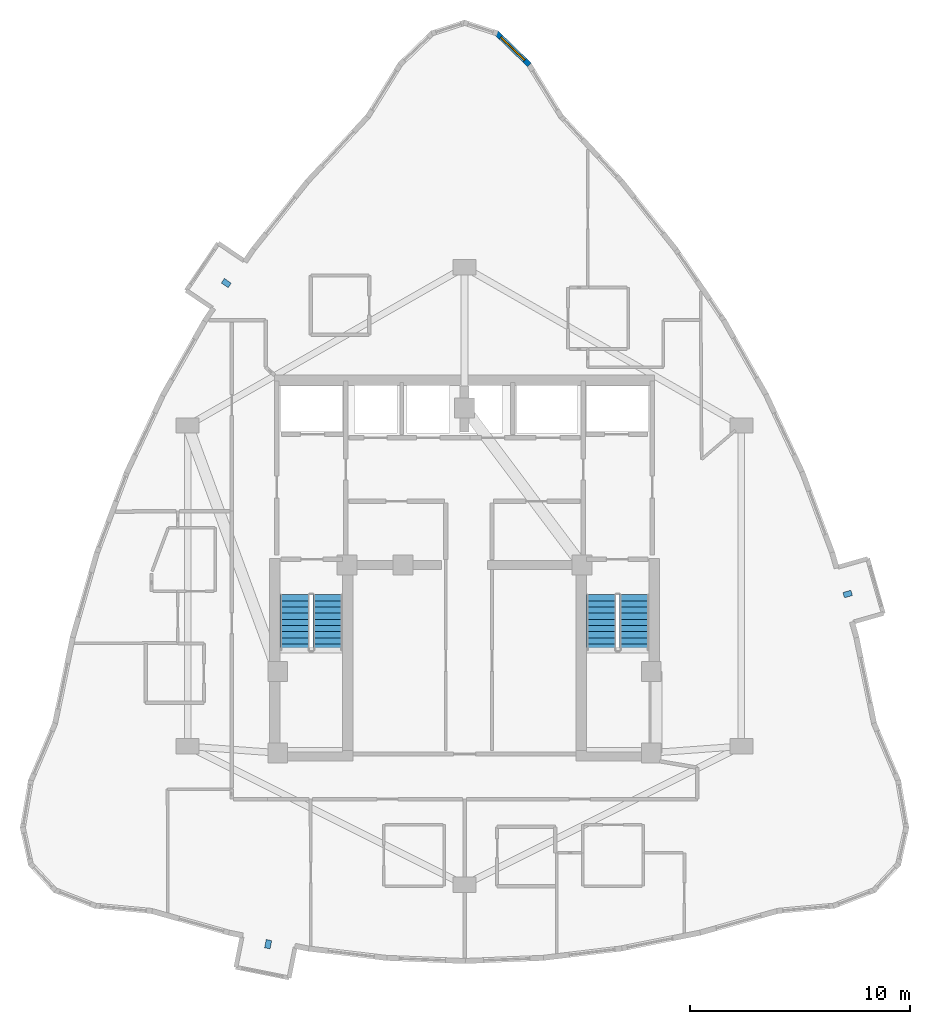
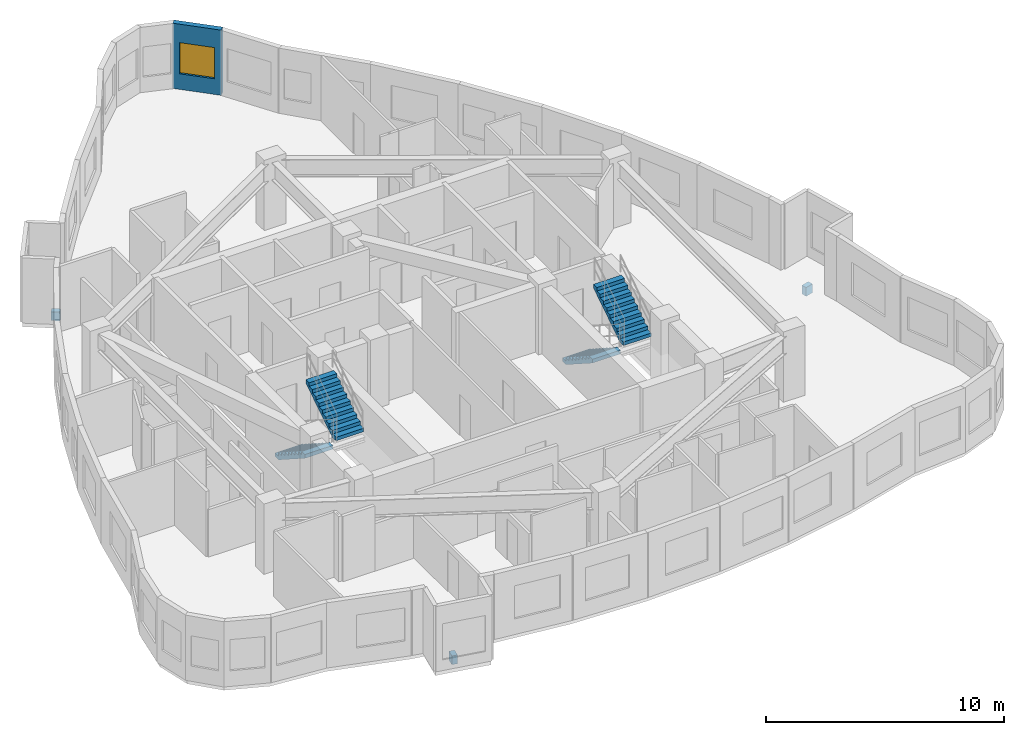
# One storey, part 12 of 13: 4 stair flights, 3 discrete accessories, 1 wall, 1 window, 1 opening, 2 elements without a shape of their own.
"""IFC4 building model written with IfcOpenShell, lengths in metres."""

from ifc_helpers import new_model, si_unit, direction, frame, frame_2d, origin, origin_2d, place, context, subcontext, project, spatial, polyline, rectangle, outline, extrude, material, layer, layer_set, type_object, element, fill, aggregate, save


model = new_model("IFC4")

# Units and contexts
model_context = context("Model", 3, precision=1e-05, world=origin(), true_north=direction((0.0, 1.0)))
body_context = subcontext(model_context, "Body", "Model", "MODEL_VIEW")
ifc_project = project(units=[si_unit("LENGTHUNIT", "METRE"), si_unit("AREAUNIT", "SQUARE_METRE"), si_unit("VOLUMEUNIT", "CUBIC_METRE"), si_unit("PLANEANGLEUNIT", "RADIAN"), si_unit("MASSUNIT", "GRAM", prefix="KILO")], contexts=[model_context])

# Site, building, storey
site_placement = place(None, origin())
site = spatial("IfcSite", under=ifc_project, at=site_placement, CompositionType="ELEMENT")
building_placement = place(site_placement, origin())
building = spatial("IfcBuilding", under=site, at=building_placement, Name="Miruveldt Soraemaru", CompositionType="ELEMENT")
storey_placement = place(building_placement, frame((0.0, 0.0, 201.60009765625)))
storey = spatial("IfcBuildingStorey", under=building, at=storey_placement, Name="L55", CompositionType="ELEMENT", Elevation=201.60009765625)

# Wall, opening, window
ifc_material_1 = material(Name="Precast concrete C45/55 (45 MPa)", Category="concrete")
ifc_layer = layer(ifc_material_1, 0.239990234375, Name="Precast concrete C45/55 (45 MPa)", Category="concrete")
ifc_layer_set = layer_set([ifc_layer], Name="Precast concrete C45/55 (45 MPa)")
wall_type = type_object("IfcWallType", Name="WALL-EXT-PC240", PredefinedType="SOLIDWALL", material=ifc_layer_set)
wall_placement = place(storey_placement, frame((46.953857421875, 66.812744140625, 0.0), z_axis=(0.0, 0.0, 1.0), x_axis=(-0.717784741211, 0.696265082626, 0.0)))
wall = element("IfcWall", 1, at=wall_placement, inside=storey, type_object=wall_type, Name="L55 Precast Concrete Facade Wall 2", PredefinedType="SOLIDWALL", context=body_context, shape_type="SweptSolid", body=[
    extrude(rectangle(XDim=2.110107421875, YDim=0.239990234375, at=frame_2d((1.05517578125, 0.0))), origin(), (0.0, 0.0, 1.0), 3.344970703125),
])
opening_placement = place(wall_placement, frame((0.304931640625, 0.0, 0.800048828125)))
opening = element("IfcOpeningElement", 2, at=opening_placement, cuts=wall, Name="Opening WN-3", PredefinedType="OPENING", context=body_context, shape_type="SweptSolid", body=[
    extrude(rectangle(XDim=1.5, YDim=1.60009765625, at=frame_2d((0.75, 0.800048828125))), frame((0.0, 0.1298828125, 0.0), z_axis=(0.0, -1.0, 0.0), x_axis=(1.0, 0.0, 0.0)), (0.0, 0.0, 1.0), 0.260009765625),
])
ifc_material_2 = material(Name="Triple low-e insulated glazing", Category="glass")
window_type = type_object("IfcWindowType", Name="WIN-PUNCH-1500x1600", PartitioningType="SINGLE_PANEL", PredefinedType="WINDOW", material=ifc_material_2)
window_placement = place(opening_placement, origin())
window = element("IfcWindow", 3, at=window_placement, inside=storey, type_object=window_type, Name="L55 Punched Triple-Glazed Window 02.1", OverallHeight=1.60009765625, OverallWidth=1.5, PartitioningType="SINGLE_PANEL", PredefinedType="WINDOW", context=body_context, shape_type="SweptSolid", body=[
    extrude(rectangle(XDim=1.5, YDim=1.60009765625, at=frame_2d((0.75, 0.800048828125))), frame((0.0, 0.030029296875, 0.0), z_axis=(0.0, -1.0, 0.0), x_axis=(1.0, 0.0, 0.0)), (0.0, 0.0, 1.0), 0.06005859375),
])
fill(opening, window)

# Stair, stair flights
ifc_material_3 = material(Name="Concrete C40/50 (40 MPa)", Category="concrete")
stair_type = type_object("IfcStairType", Name="STAIR-DL-360", PredefinedType="HALF_TURN_STAIR", material=ifc_material_3)
stair_1_placement = place(storey_placement, origin())
stair_1 = element("IfcStair", 4, at=stair_1_placement, inside=storey, type_object=stair_type, Name="L55 Protected Exit Stair ST-1", PredefinedType="HALF_TURN_STAIR")
stair_flight_type = type_object("IfcStairFlightType", Name="SFL-DL-360", PredefinedType="STRAIGHT", material=ifc_material_3)
stair_flight_1_placement = place(storey_placement, frame((36.27490234375, 42.699951171875, 0.0), z_axis=(0.0, 0.0, 1.0), x_axis=(0.0, -1.0, 0.0)))
stair_flight_1 = element("IfcStairFlight", 5, at=stair_flight_1_placement, type_object=stair_flight_type, Name="ST-1 flight 1", NumberOfRisers=10, NumberOfTreads=9, PredefinedType="STRAIGHT", RiserHeight=0.18, TreadLength=0.28, context=body_context, shape_type="SweptSolid", body=[
    extrude(outline(polyline([(0.0, 0.0), (0.0, 0.179931640625), (0.280029296875, 0.179931640625), (0.280029296875, 0.360107421875), (0.56005859375, 0.360107421875), (0.56005859375, 0.5400390625), (0.840087890625, 0.5400390625), (0.840087890625, 0.719970703125), (1.1201171875, 0.719970703125), (1.1201171875, 0.89990234375), (1.39990234375, 0.89990234375), (1.39990234375, 1.080078125), (1.679931640625, 1.080078125), (1.679931640625, 1.260009765625), (1.9599609375, 1.260009765625), (1.9599609375, 1.43994140625), (2.239990234375, 1.43994140625), (2.239990234375, 1.6201171875), (2.52001953125, 1.6201171875), (2.52001953125, 1.800048828125), (2.52001953125, 1.429931640625), (0.295654296875, 0.0), (0.0, 0.0)])), frame((0.0, 0.675048828125, 0.0), z_axis=(0.0, -1.0, 0.0), x_axis=(1.0, 0.0, 0.0)), (0.0, 0.0, 1.0), 1.35009765625),
])
stair_flight_2_placement = place(storey_placement, frame((37.77490234375, 40.179931640625, 1.7998046875), z_axis=(0.0, 0.0, 1.0), x_axis=(0.0, 1.0, 0.0)))
stair_flight_2 = element("IfcStairFlight", 6, at=stair_flight_2_placement, type_object=stair_flight_type, Name="ST-1 flight 2", NumberOfRisers=10, NumberOfTreads=9, PredefinedType="STRAIGHT", RiserHeight=0.18, TreadLength=0.28, context=body_context, shape_type="SweptSolid", body=[
    extrude(outline(polyline([(0.0, 0.0), (0.0, 0.179931640625), (0.280029296875, 0.179931640625), (0.280029296875, 0.360107421875), (0.56005859375, 0.360107421875), (0.56005859375, 0.5400390625), (0.840087890625, 0.5400390625), (0.840087890625, 0.719970703125), (1.1201171875, 0.719970703125), (1.1201171875, 0.89990234375), (1.39990234375, 0.89990234375), (1.39990234375, 1.080078125), (1.679931640625, 1.080078125), (1.679931640625, 1.260009765625), (1.9599609375, 1.260009765625), (1.9599609375, 1.43994140625), (2.239990234375, 1.43994140625), (2.239990234375, 1.6201171875), (2.52001953125, 1.6201171875), (2.52001953125, 1.800048828125), (2.52001953125, 1.429931640625), (0.295654296875, 0.0), (0.0, 0.0)])), frame((0.0, 0.675048828125, 0.0), z_axis=(0.0, -1.0, 0.0), x_axis=(1.0, 0.0, 0.0)), (0.0, 0.0, 1.0), 1.35009765625),
])
aggregate(stair_1, [stair_flight_1, stair_flight_2])

stair_2_placement = place(storey_placement, origin())
stair_2 = element("IfcStair", 7, at=stair_2_placement, inside=storey, type_object=stair_type, Name="L55 Protected Exit Stair ST-2", PredefinedType="HALF_TURN_STAIR")
stair_flight_3_placement = place(storey_placement, frame((50.22509765625, 42.699951171875, 0.0), z_axis=(0.0, 0.0, 1.0), x_axis=(0.0, -1.0, 0.0)))
stair_flight_3 = element("IfcStairFlight", 8, at=stair_flight_3_placement, type_object=stair_flight_type, Name="ST-2 flight 1", NumberOfRisers=10, NumberOfTreads=9, PredefinedType="STRAIGHT", RiserHeight=0.18, TreadLength=0.28, context=body_context, shape_type="SweptSolid", body=[
    extrude(outline(polyline([(0.0, 0.0), (0.0, 0.179931640625), (0.280029296875, 0.179931640625), (0.280029296875, 0.360107421875), (0.56005859375, 0.360107421875), (0.56005859375, 0.5400390625), (0.840087890625, 0.5400390625), (0.840087890625, 0.719970703125), (1.1201171875, 0.719970703125), (1.1201171875, 0.89990234375), (1.39990234375, 0.89990234375), (1.39990234375, 1.080078125), (1.679931640625, 1.080078125), (1.679931640625, 1.260009765625), (1.9599609375, 1.260009765625), (1.9599609375, 1.43994140625), (2.239990234375, 1.43994140625), (2.239990234375, 1.6201171875), (2.52001953125, 1.6201171875), (2.52001953125, 1.800048828125), (2.52001953125, 1.429931640625), (0.295654296875, 0.0), (0.0, 0.0)])), frame((0.0, 0.675048828125, 0.0), z_axis=(0.0, -1.0, 0.0), x_axis=(1.0, 0.0, 0.0)), (0.0, 0.0, 1.0), 1.35009765625),
])
stair_flight_4_placement = place(storey_placement, frame((51.72509765625, 40.179931640625, 1.7998046875), z_axis=(0.0, 0.0, 1.0), x_axis=(0.0, 1.0, 0.0)))
stair_flight_4 = element("IfcStairFlight", 9, at=stair_flight_4_placement, type_object=stair_flight_type, Name="ST-2 flight 2", NumberOfRisers=10, NumberOfTreads=9, PredefinedType="STRAIGHT", RiserHeight=0.18, TreadLength=0.28, context=body_context, shape_type="SweptSolid", body=[
    extrude(outline(polyline([(0.0, 0.0), (0.0, 0.179931640625), (0.280029296875, 0.179931640625), (0.280029296875, 0.360107421875), (0.56005859375, 0.360107421875), (0.56005859375, 0.5400390625), (0.840087890625, 0.5400390625), (0.840087890625, 0.719970703125), (1.1201171875, 0.719970703125), (1.1201171875, 0.89990234375), (1.39990234375, 0.89990234375), (1.39990234375, 1.080078125), (1.679931640625, 1.080078125), (1.679931640625, 1.260009765625), (1.9599609375, 1.260009765625), (1.9599609375, 1.43994140625), (2.239990234375, 1.43994140625), (2.239990234375, 1.6201171875), (2.52001953125, 1.6201171875), (2.52001953125, 1.800048828125), (2.52001953125, 1.429931640625), (0.295654296875, 0.0), (0.0, 0.0)])), frame((0.0, 0.675048828125, 0.0), z_axis=(0.0, -1.0, 0.0), x_axis=(1.0, 0.0, 0.0)), (0.0, 0.0, 1.0), 1.35009765625),
])
aggregate(stair_2, [stair_flight_3, stair_flight_4])

# Discrete accessories
ifc_material_4 = material(Name="Steel SM355 (355 MPa)", Category="steel")
discrete_accessory_type = type_object("IfcDiscreteAccessoryType", Name="ACC-BAY-BRK", PredefinedType="BRACKET", material=ifc_material_4)
for number, where, z_axis, x_axis, name in (
    (10, (33.1552734375, 56.8828125, -0.7001953125), (0.0, 0.0, 1.0), (-0.827913531301, 0.560855761037, 0.0), "L55 Bay Window Cantilever Bracket 1"),
    (11, (35.062255859375, 26.79345703125, -0.7001953125), (0.0, 0.0, 1.0), (-0.196117290802, -0.980580444557, 0.0), "L55 Bay Window Cantilever Bracket 2"),
    (12, (61.438232421875, 42.72998046875, -0.7001953125), (0.0, 0.0, 1.0), (0.961449093633, 0.274982981932, 0.0), "L55 Bay Window Cantilever Bracket 3"),
):
    element("IfcDiscreteAccessory", number, at=place(storey_placement, frame(where, z_axis=z_axis, x_axis=x_axis)), inside=storey, type_object=discrete_accessory_type, Name=name, PredefinedType="BRACKET", context=body_context, shape_type="SweptSolid", body=[
        extrude(rectangle(XDim=0.3798828125, YDim=0.25, at=origin_2d()), origin(), (0.0, 0.0, 1.0), 0.449951171875),
    ])

save(model, "model.ifc")
